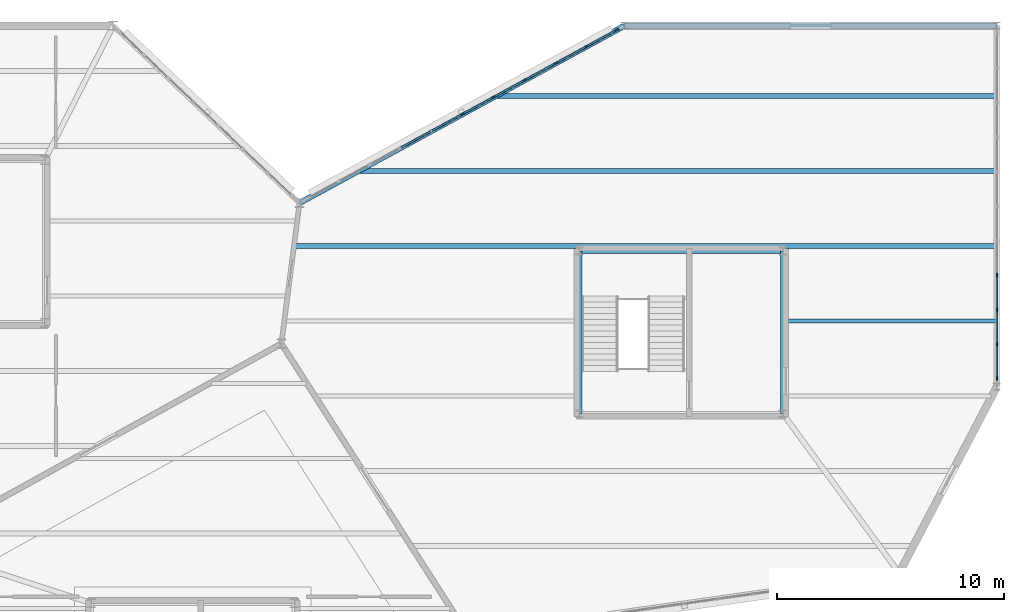
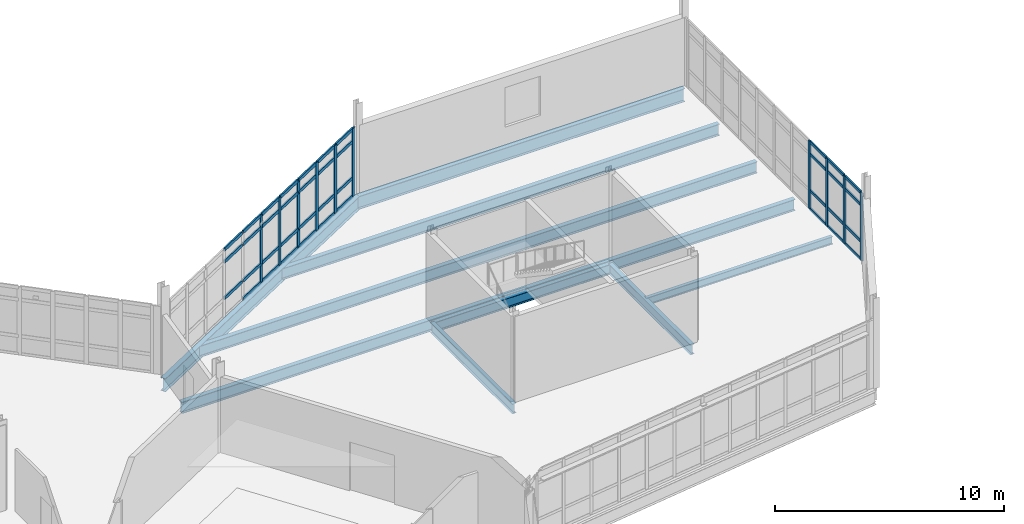
# One storey, part 79 of 134: 49 members, 9 beams, 2 elements without a shape of their own.
"""IFC4 building model written with IfcOpenShell, lengths in metres."""

from ifc_helpers import new_model, si_unit, direction, frame, origin, origin_2d, place, context, subcontext, project, spatial, rectangle, i_section, extrude, material, material_profile, profile_set, type_object, element, aggregate, save


model = new_model("IFC4")

# Units and contexts
model_context = context("Model", 3, precision=1e-05, world=origin(), true_north=direction((0.0, 1.0)))
body_context = subcontext(model_context, "Body", "Model", "MODEL_VIEW")
ifc_project = project(units=[si_unit("LENGTHUNIT", "METRE"), si_unit("AREAUNIT", "SQUARE_METRE"), si_unit("VOLUMEUNIT", "CUBIC_METRE"), si_unit("PLANEANGLEUNIT", "RADIAN"), si_unit("MASSUNIT", "GRAM", prefix="KILO")], contexts=[model_context])

# Site, building, storey
site_placement = place(None, origin())
site = spatial("IfcSite", under=ifc_project, at=site_placement, CompositionType="ELEMENT")
building_placement = place(site_placement, origin())
building = spatial("IfcBuilding", under=site, at=building_placement, Name="Tameran Prism Museum", CompositionType="ELEMENT")
storey_placement = place(building_placement, frame((0.0, 0.0, 5.39990234375)))
storey = spatial("IfcBuildingStorey", under=building, at=storey_placement, Name="L01", CompositionType="ELEMENT", Elevation=5.39990234375)

# Beams
ifc_material_1 = material(Name="Steel Grade 300PLUS (300 MPa)", Category="steel")
ifc_material_profile_1 = material_profile(ifc_material_1, i_section(OverallWidth=0.177978515625, OverallDepth=0.403076171875, WebThickness=0.007568359375, FlangeThickness=0.010986328125, FilletRadius=0.011474609375, at=origin_2d()))
ifc_profile_set_1 = profile_set([ifc_material_profile_1])
beam_type_1 = type_object("IfcBeamType", Name="BM-J410B", PredefinedType="JOIST", material=ifc_profile_set_1)
beam_1_placement = place(storey_placement, frame((156.97998046875, 99.0, -0.4013671875), z_axis=(1.0, 0.0, 0.0), x_axis=(0.0, 1.0, 0.0)))
element("IfcBeam", 1, at=beam_1_placement, inside=storey, type_object=beam_type_1, Name="Floor Beam BM-0535", PredefinedType="JOIST", context=body_context, shape_type="SweptSolid", body=[
    extrude(i_section(OverallWidth=0.177978515625, OverallDepth=0.403076171875, WebThickness=0.007568359375, FlangeThickness=0.010986328125, FilletRadius=0.011474609375, at=origin_2d()), origin(), (0.0, 0.0, 1.0), 9.380126953125),
])
ifc_material_2 = material(Name="Steel Grade 300PLUS (300 MPa)", Category="steel")
ifc_material_profile_2 = material_profile(ifc_material_2, i_section(OverallWidth=0.208984375, OverallDepth=0.528076171875, WebThickness=0.009521484375, FlangeThickness=0.01318359375, FilletRadius=0.013916015625, at=origin_2d()))
ifc_profile_set_2 = profile_set([ifc_material_profile_2])
beam_type_2 = type_object("IfcBeamType", Name="BM-SP530B", PredefinedType="SPANDREL", material=ifc_profile_set_2)
beam_2_placement = place(storey_placement, frame((156.97998046875, 94.919921875, -0.50390625), z_axis=(0.0, 1.0, 0.0), x_axis=(-1.0, 0.0, 0.0)))
element("IfcBeam", 2, at=beam_2_placement, inside=storey, type_object=beam_type_2, Name="Core Ring Beam CTB-0479", PredefinedType="SPANDREL", context=body_context, shape_type="SweptSolid", body=[
    extrude(i_section(OverallWidth=0.208984375, OverallDepth=0.528076171875, WebThickness=0.009521484375, FlangeThickness=0.01318359375, FilletRadius=0.013916015625, at=origin_2d()), origin(), (0.0, 0.0, 1.0), 7.16015625),
])
beam_3_placement = place(storey_placement, frame((156.97998046875, 102.080078125, -0.50390625), z_axis=(-1.0, 0.0, 0.0), x_axis=(0.0, -1.0, 0.0)))
element("IfcBeam", 3, at=beam_3_placement, inside=storey, type_object=beam_type_2, Name="Core Ring Beam CTB-0480", PredefinedType="SPANDREL", context=body_context, shape_type="SweptSolid", body=[
    extrude(i_section(OverallWidth=0.208984375, OverallDepth=0.528076171875, WebThickness=0.009521484375, FlangeThickness=0.01318359375, FilletRadius=0.013916015625, at=origin_2d()), origin(), (0.0, 0.0, 1.0), 8.9599609375),
])
beam_4_placement = place(storey_placement, frame((148.02001953125, 102.080078125, -0.50390625), z_axis=(0.0, -1.0, 0.0), x_axis=(1.0, 0.0, 0.0)))
element("IfcBeam", 4, at=beam_4_placement, inside=storey, type_object=beam_type_2, Name="Core Ring Beam CTB-0481", PredefinedType="SPANDREL", context=body_context, shape_type="SweptSolid", body=[
    extrude(i_section(OverallWidth=0.208984375, OverallDepth=0.528076171875, WebThickness=0.009521484375, FlangeThickness=0.01318359375, FilletRadius=0.013916015625, at=origin_2d()), origin(), (0.0, 0.0, 1.0), 7.16015625),
])
ifc_material_3 = material(Name="Steel Grade 350 (350 MPa)", Category="steel")
ifc_material_profile_3 = material_profile(ifc_material_3, i_section(OverallWidth=0.25, OverallDepth=0.699951171875, WebThickness=0.010009765625, FlangeThickness=0.02001953125, at=origin_2d()))
ifc_profile_set_3 = profile_set([ifc_material_profile_3])
beam_type_3 = type_object("IfcBeamType", Name="BM-SP700", PredefinedType="SPANDREL", material=ifc_profile_set_3)
beam_5_placement = place(storey_placement, frame((166.39990234375, 112.0, -0.5498046875), z_axis=(-1.0, 0.0, 0.0), x_axis=(0.0, -1.0, 0.0)))
element("IfcBeam", 5, at=beam_5_placement, inside=storey, type_object=beam_type_3, Name="Perimeter Spandrel SP-0343", PredefinedType="SPANDREL", context=body_context, shape_type="SweptSolid", body=[
    extrude(i_section(OverallWidth=0.25, OverallDepth=0.699951171875, WebThickness=0.010009765625, FlangeThickness=0.02001953125, at=origin_2d()), origin(), (0.0, 0.0, 1.0), 16.39990234375),
])
beam_6_placement = place(storey_placement, frame((150.0, 112.0, -0.5498046875), z_axis=(-0.877895000122, -0.478853180798, 0.0), x_axis=(0.478853180798, -0.877895000122, 0.0)))
element("IfcBeam", 6, at=beam_6_placement, inside=storey, type_object=beam_type_3, Name="Perimeter Spandrel SP-0344", PredefinedType="SPANDREL", context=body_context, shape_type="SweptSolid", body=[
    extrude(i_section(OverallWidth=0.25, OverallDepth=0.699951171875, WebThickness=0.010009765625, FlangeThickness=0.02001953125, at=origin_2d()), origin(), (0.0, 0.0, 1.0), 16.2890625),
])
ifc_material_4 = material(Name="Steel Grade 300PLUS (300 MPa)", Category="steel")
ifc_material_profile_4 = material_profile(ifc_material_4, i_section(OverallWidth=0.22802734375, OverallDepth=0.60693359375, WebThickness=0.01123046875, FlangeThickness=0.017333984375, FilletRadius=0.013916015625, at=origin_2d()))
ifc_profile_set_4 = profile_set([ifc_material_profile_4])
beam_type_4 = type_object("IfcBeamType", Name="BM-UB610B", PredefinedType="BEAM", material=ifc_profile_set_4)
beam_7_placement = place(storey_placement, frame((135.4951171875, 102.300048828125, -0.50341796875), z_axis=(1.0, 0.0, 0.0), x_axis=(0.0, 1.0, 0.0)))
element("IfcBeam", 7, at=beam_7_placement, inside=storey, type_object=beam_type_4, Name="Floor Beam BM-0536", PredefinedType="BEAM", context=body_context, shape_type="SweptSolid", body=[
    extrude(i_section(OverallWidth=0.22802734375, OverallDepth=0.60693359375, WebThickness=0.01123046875, FlangeThickness=0.017333984375, FilletRadius=0.013916015625, at=origin_2d()), origin(), (0.0, 0.0, 1.0), 30.864990234375),
])
beam_8_placement = place(storey_placement, frame((138.35009765625, 105.60009765625, -0.50341796875), z_axis=(1.0, 0.0, 0.0), x_axis=(0.0, 1.0, 0.0)))
element("IfcBeam", 8, at=beam_8_placement, inside=storey, type_object=beam_type_4, Name="Floor Beam BM-0537", PredefinedType="BEAM", context=body_context, shape_type="SweptSolid", body=[
    extrude(i_section(OverallWidth=0.22802734375, OverallDepth=0.60693359375, WebThickness=0.01123046875, FlangeThickness=0.017333984375, FilletRadius=0.013916015625, at=origin_2d()), origin(), (0.0, 0.0, 1.0), 28.010009765625),
])
beam_9_placement = place(storey_placement, frame((144.39990234375, 108.89990234375, -0.50341796875), z_axis=(1.0, 0.0, 0.0), x_axis=(0.0, 1.0, 0.0)))
element("IfcBeam", 9, at=beam_9_placement, inside=storey, type_object=beam_type_4, Name="Floor Beam BM-0538", PredefinedType="BEAM", context=body_context, shape_type="SweptSolid", body=[
    extrude(i_section(OverallWidth=0.22802734375, OverallDepth=0.60693359375, WebThickness=0.01123046875, FlangeThickness=0.017333984375, FilletRadius=0.013916015625, at=origin_2d()), origin(), (0.0, 0.0, 1.0), 21.960205078125),
])

# Curtain wall, members
ifc_material_5 = material(Name="Anodised Aluminium 6063-T6 and Cyclone Solar Glass", Category="aluminium")
curtain_wall_type_1 = type_object("IfcCurtainWallType", Name="CW-FAC-1520x362", PredefinedType="USERDEFINED", material=ifc_material_5)
curtain_wall_1_placement = place(storey_placement, origin())
curtain_wall_1 = element("IfcCurtainWall", 10, at=curtain_wall_1_placement, inside=storey, type_object=curtain_wall_type_1, Name="Unitised Curtain Wall CW-060", ObjectType="UNITISED CURTAIN WALL", PredefinedType="USERDEFINED")
ifc_material_6 = material(Name="Anodised Aluminium Alloy 6063-T6", Category="aluminium")
ifc_material_profile_5 = material_profile(ifc_material_6, rectangle(XDim=0.070068359375, YDim=0.179931640625, at=origin_2d()))
ifc_profile_set_5 = profile_set([ifc_material_profile_5])
member_type_1 = type_object("IfcMemberType", Name="CW-MUL-B", PredefinedType="MULLION", material=ifc_profile_set_5)
member_1_placement = place(storey_placement, frame((166.39990234375, 101.010009765625, 0.0), z_axis=(0.0, 0.0, 1.0), x_axis=(1.0, 0.0, 0.0)))
member_1 = element("IfcMember", 11, at=member_1_placement, type_object=member_type_1, Name="CW-060 mullion 8", PredefinedType="MULLION", context=body_context, shape_type="SweptSolid", body=[
    extrude(rectangle(XDim=0.070068359375, YDim=0.179931640625, at=origin_2d()), origin(), (0.0, 0.0, 1.0), 3.6201171875),
])
member_2_placement = place(storey_placement, frame((166.39990234375, 99.489990234375, 0.0), z_axis=(0.0, 0.0, 1.0), x_axis=(1.0, 0.0, 0.0)))
member_2 = element("IfcMember", 12, at=member_2_placement, type_object=member_type_1, Name="CW-060 mullion 9", PredefinedType="MULLION", context=body_context, shape_type="SweptSolid", body=[
    extrude(rectangle(XDim=0.070068359375, YDim=0.179931640625, at=origin_2d()), origin(), (0.0, 0.0, 1.0), 3.6201171875),
])
member_3_placement = place(storey_placement, frame((166.39990234375, 97.969970703125, 0.0), z_axis=(0.0, 0.0, 1.0), x_axis=(1.0, 0.0, 0.0)))
member_3 = element("IfcMember", 13, at=member_3_placement, type_object=member_type_1, Name="CW-060 mullion 10", PredefinedType="MULLION", context=body_context, shape_type="SweptSolid", body=[
    extrude(rectangle(XDim=0.070068359375, YDim=0.179931640625, at=origin_2d()), origin(), (0.0, 0.0, 1.0), 3.6201171875),
])
member_4_placement = place(storey_placement, frame((166.39990234375, 96.485107421875, 0.0), z_axis=(0.0, 0.0, 1.0), x_axis=(1.0, 0.0, 0.0)))
member_4 = element("IfcMember", 14, at=member_4_placement, type_object=member_type_1, Name="CW-060 mullion 11", PredefinedType="MULLION", context=body_context, shape_type="SweptSolid", body=[
    extrude(rectangle(XDim=0.070068359375, YDim=0.179931640625, at=origin_2d()), origin(), (0.0, 0.0, 1.0), 3.6201171875),
])

ifc_material_7 = material(Name="Anodised Aluminium 6063-T6 and Cyclone Solar Glass", Category="aluminium")
curtain_wall_type_2 = type_object("IfcCurtainWallType", Name="CW-FAC-1553x362", PredefinedType="USERDEFINED", material=ifc_material_7)
curtain_wall_2_placement = place(storey_placement, origin())
curtain_wall_2 = element("IfcCurtainWall", 15, at=curtain_wall_2_placement, inside=storey, type_object=curtain_wall_type_2, Name="Unitised Curtain Wall CW-061", ObjectType="UNITISED CURTAIN WALL", PredefinedType="USERDEFINED")
ifc_material_8 = material(Name="Anodised Aluminium Alloy 6063-T6", Category="aluminium")
ifc_material_profile_6 = material_profile(ifc_material_8, rectangle(XDim=0.074951171875, YDim=0.199951171875, at=origin_2d()))
ifc_profile_set_6 = profile_set([ifc_material_profile_6])
member_type_2 = type_object("IfcMemberType", Name="CW-MUL-C", PredefinedType="MULLION", material=ifc_profile_set_6)
member_5_placement = place(storey_placement, frame((142.87646484375, 108.114501953125, 0.0), z_axis=(0.0, 0.0, 1.0), x_axis=(-0.478793474805, 0.877927564486, 0.0)))
member_5 = element("IfcMember", 16, at=member_5_placement, type_object=member_type_2, Name="CW-061 mullion 6", PredefinedType="MULLION", context=body_context, shape_type="SweptSolid", body=[
    extrude(rectangle(XDim=0.074951171875, YDim=0.199951171875, at=origin_2d()), origin(), (0.0, 0.0, 1.0), 3.6201171875),
])
member_6_placement = place(storey_placement, frame((144.23974609375, 108.85791015625, 0.0), z_axis=(0.0, 0.0, 1.0), x_axis=(-0.478793474805, 0.877927564486, 0.0)))
member_6 = element("IfcMember", 17, at=member_6_placement, type_object=member_type_2, Name="CW-061 mullion 7", PredefinedType="MULLION", context=body_context, shape_type="SweptSolid", body=[
    extrude(rectangle(XDim=0.074951171875, YDim=0.199951171875, at=origin_2d()), origin(), (0.0, 0.0, 1.0), 3.6201171875),
])
member_7_placement = place(storey_placement, frame((145.60302734375, 109.6015625, 0.0), z_axis=(0.0, 0.0, 1.0), x_axis=(-0.478793474805, 0.877927564486, 0.0)))
member_7 = element("IfcMember", 18, at=member_7_placement, type_object=member_type_2, Name="CW-061 mullion 8", PredefinedType="MULLION", context=body_context, shape_type="SweptSolid", body=[
    extrude(rectangle(XDim=0.074951171875, YDim=0.199951171875, at=origin_2d()), origin(), (0.0, 0.0, 1.0), 3.6201171875),
])
member_8_placement = place(storey_placement, frame((146.96630859375, 110.344970703125, 0.0), z_axis=(0.0, 0.0, 1.0), x_axis=(-0.478793474805, 0.877927564486, 0.0)))
member_8 = element("IfcMember", 19, at=member_8_placement, type_object=member_type_2, Name="CW-061 mullion 9", PredefinedType="MULLION", context=body_context, shape_type="SweptSolid", body=[
    extrude(rectangle(XDim=0.074951171875, YDim=0.199951171875, at=origin_2d()), origin(), (0.0, 0.0, 1.0), 3.6201171875),
])
member_9_placement = place(storey_placement, frame((148.32958984375, 111.08837890625, 0.0), z_axis=(0.0, 0.0, 1.0), x_axis=(-0.478793474805, 0.877927564486, 0.0)))
member_9 = element("IfcMember", 20, at=member_9_placement, type_object=member_type_2, Name="CW-061 mullion 10", PredefinedType="MULLION", context=body_context, shape_type="SweptSolid", body=[
    extrude(rectangle(XDim=0.074951171875, YDim=0.199951171875, at=origin_2d()), origin(), (0.0, 0.0, 1.0), 3.6201171875),
])
member_10_placement = place(storey_placement, frame((149.66015625, 111.81396484375, 0.0), z_axis=(0.0, 0.0, 1.0), x_axis=(-0.478793474805, 0.877927564486, 0.0)))
member_10 = element("IfcMember", 21, at=member_10_placement, type_object=member_type_2, Name="CW-061 mullion 11", PredefinedType="MULLION", context=body_context, shape_type="SweptSolid", body=[
    extrude(rectangle(XDim=0.074951171875, YDim=0.199951171875, at=origin_2d()), origin(), (0.0, 0.0, 1.0), 3.6201171875),
])

# Member
ifc_material_9 = material(Name="Anodised Aluminium Alloy 6063-T6", Category="aluminium")
ifc_material_profile_7 = material_profile(ifc_material_9, rectangle(XDim=0.070068359375, YDim=0.155029296875, at=origin_2d()))
ifc_profile_set_7 = profile_set([ifc_material_profile_7])
member_type_3 = type_object("IfcMemberType", Name="CW-TRN-B", PredefinedType="USERDEFINED", material=ifc_profile_set_7)
member_11_placement = place(storey_placement, frame((166.39990234375, 100.97509765625, 0.03515625), z_axis=(0.0, -1.0, 0.0), x_axis=(1.0, 0.0, 0.0)))
member_11 = element("IfcMember", 22, at=member_11_placement, type_object=member_type_3, Name="CW-060 transom 8.1", ObjectType="TRANSOM", PredefinedType="USERDEFINED", context=body_context, shape_type="SweptSolid", body=[
    extrude(rectangle(XDim=0.070068359375, YDim=0.155029296875, at=origin_2d()), origin(), (0.0, 0.0, 1.0), 1.4501953125),
])

member_12_placement = place(storey_placement, frame((166.39990234375, 100.97509765625, 1.0), z_axis=(0.0, -1.0, 0.0), x_axis=(1.0, 0.0, 0.0)))
member_12 = element("IfcMember", 23, at=member_12_placement, type_object=member_type_3, Name="CW-060 transom 8.2", ObjectType="TRANSOM", PredefinedType="USERDEFINED", context=body_context, shape_type="SweptSolid", body=[
    extrude(rectangle(XDim=0.070068359375, YDim=0.155029296875, at=origin_2d()), origin(), (0.0, 0.0, 1.0), 1.4501953125),
])

member_13_placement = place(storey_placement, frame((166.39990234375, 100.97509765625, 2.940185546875), z_axis=(0.0, -1.0, 0.0), x_axis=(1.0, 0.0, 0.0)))
member_13 = element("IfcMember", 24, at=member_13_placement, type_object=member_type_3, Name="CW-060 transom 8.3", ObjectType="TRANSOM", PredefinedType="USERDEFINED", context=body_context, shape_type="SweptSolid", body=[
    extrude(rectangle(XDim=0.070068359375, YDim=0.155029296875, at=origin_2d()), origin(), (0.0, 0.0, 1.0), 1.4501953125),
])

member_14_placement = place(storey_placement, frame((166.39990234375, 100.97509765625, 3.585205078125), z_axis=(0.0, -1.0, 0.0), x_axis=(1.0, 0.0, 0.0)))
member_14 = element("IfcMember", 25, at=member_14_placement, type_object=member_type_3, Name="CW-060 transom 8.4", ObjectType="TRANSOM", PredefinedType="USERDEFINED", context=body_context, shape_type="SweptSolid", body=[
    extrude(rectangle(XDim=0.070068359375, YDim=0.155029296875, at=origin_2d()), origin(), (0.0, 0.0, 1.0), 1.4501953125),
])

member_15_placement = place(storey_placement, frame((166.39990234375, 99.455078125, 0.03515625), z_axis=(0.0, -1.0, 0.0), x_axis=(1.0, 0.0, 0.0)))
member_15 = element("IfcMember", 26, at=member_15_placement, type_object=member_type_3, Name="CW-060 transom 9.1", ObjectType="TRANSOM", PredefinedType="USERDEFINED", context=body_context, shape_type="SweptSolid", body=[
    extrude(rectangle(XDim=0.070068359375, YDim=0.155029296875, at=origin_2d()), origin(), (0.0, 0.0, 1.0), 1.4501953125),
])

member_16_placement = place(storey_placement, frame((166.39990234375, 99.455078125, 1.0), z_axis=(0.0, -1.0, 0.0), x_axis=(1.0, 0.0, 0.0)))
member_16 = element("IfcMember", 27, at=member_16_placement, type_object=member_type_3, Name="CW-060 transom 9.2", ObjectType="TRANSOM", PredefinedType="USERDEFINED", context=body_context, shape_type="SweptSolid", body=[
    extrude(rectangle(XDim=0.070068359375, YDim=0.155029296875, at=origin_2d()), origin(), (0.0, 0.0, 1.0), 1.4501953125),
])

member_17_placement = place(storey_placement, frame((166.39990234375, 99.455078125, 2.940185546875), z_axis=(0.0, -1.0, 0.0), x_axis=(1.0, 0.0, 0.0)))
member_17 = element("IfcMember", 28, at=member_17_placement, type_object=member_type_3, Name="CW-060 transom 9.3", ObjectType="TRANSOM", PredefinedType="USERDEFINED", context=body_context, shape_type="SweptSolid", body=[
    extrude(rectangle(XDim=0.070068359375, YDim=0.155029296875, at=origin_2d()), origin(), (0.0, 0.0, 1.0), 1.4501953125),
])

member_18_placement = place(storey_placement, frame((166.39990234375, 99.455078125, 3.585205078125), z_axis=(0.0, -1.0, 0.0), x_axis=(1.0, 0.0, 0.0)))
member_18 = element("IfcMember", 29, at=member_18_placement, type_object=member_type_3, Name="CW-060 transom 9.4", ObjectType="TRANSOM", PredefinedType="USERDEFINED", context=body_context, shape_type="SweptSolid", body=[
    extrude(rectangle(XDim=0.070068359375, YDim=0.155029296875, at=origin_2d()), origin(), (0.0, 0.0, 1.0), 1.4501953125),
])

member_19_placement = place(storey_placement, frame((166.39990234375, 97.93505859375, 0.03515625), z_axis=(0.0, -1.0, 0.0), x_axis=(1.0, 0.0, 0.0)))
member_19 = element("IfcMember", 30, at=member_19_placement, type_object=member_type_3, Name="CW-060 transom 10.1", ObjectType="TRANSOM", PredefinedType="USERDEFINED", context=body_context, shape_type="SweptSolid", body=[
    extrude(rectangle(XDim=0.070068359375, YDim=0.155029296875, at=origin_2d()), origin(), (0.0, 0.0, 1.0), 1.4150390625),
])

member_20_placement = place(storey_placement, frame((166.39990234375, 97.93505859375, 1.0), z_axis=(0.0, -1.0, 0.0), x_axis=(1.0, 0.0, 0.0)))
member_20 = element("IfcMember", 31, at=member_20_placement, type_object=member_type_3, Name="CW-060 transom 10.2", ObjectType="TRANSOM", PredefinedType="USERDEFINED", context=body_context, shape_type="SweptSolid", body=[
    extrude(rectangle(XDim=0.070068359375, YDim=0.155029296875, at=origin_2d()), origin(), (0.0, 0.0, 1.0), 1.4150390625),
])

member_21_placement = place(storey_placement, frame((166.39990234375, 97.93505859375, 2.940185546875), z_axis=(0.0, -1.0, 0.0), x_axis=(1.0, 0.0, 0.0)))
member_21 = element("IfcMember", 32, at=member_21_placement, type_object=member_type_3, Name="CW-060 transom 10.3", ObjectType="TRANSOM", PredefinedType="USERDEFINED", context=body_context, shape_type="SweptSolid", body=[
    extrude(rectangle(XDim=0.070068359375, YDim=0.155029296875, at=origin_2d()), origin(), (0.0, 0.0, 1.0), 1.4150390625),
])

member_22_placement = place(storey_placement, frame((166.39990234375, 97.93505859375, 3.585205078125), z_axis=(0.0, -1.0, 0.0), x_axis=(1.0, 0.0, 0.0)))
member_22 = element("IfcMember", 33, at=member_22_placement, type_object=member_type_3, Name="CW-060 transom 10.4", ObjectType="TRANSOM", PredefinedType="USERDEFINED", context=body_context, shape_type="SweptSolid", body=[
    extrude(rectangle(XDim=0.070068359375, YDim=0.155029296875, at=origin_2d()), origin(), (0.0, 0.0, 1.0), 1.4150390625),
])

aggregate(curtain_wall_1, [member_1, member_2, member_3, member_4, member_11, member_12, member_13, member_14, member_15, member_16, member_17, member_18, member_19, member_20, member_21, member_22])

ifc_material_10 = material(Name="Anodised Aluminium Alloy 6063-T6", Category="aluminium")
ifc_material_profile_8 = material_profile(ifc_material_10, rectangle(XDim=0.074951171875, YDim=0.175048828125, at=origin_2d()))
ifc_profile_set_8 = profile_set([ifc_material_profile_8])
member_type_4 = type_object("IfcMemberType", Name="CW-TRN-C", PredefinedType="USERDEFINED", material=ifc_profile_set_8)
member_23_placement = place(storey_placement, frame((140.182861328125, 106.6455078125, 1.0), z_axis=(0.877933453039, 0.47878267725, 0.0), x_axis=(-0.47878267725, 0.877933453039, 0.0)))
member_23 = element("IfcMember", 34, at=member_23_placement, type_object=member_type_4, Name="CW-061 transom 4.2", ObjectType="TRANSOM", PredefinedType="USERDEFINED", context=body_context, shape_type="SweptSolid", body=[
    extrude(rectangle(XDim=0.074951171875, YDim=0.175048828125, at=origin_2d()), origin(), (0.0, 0.0, 1.0), 1.477783203125),
])

member_24_placement = place(storey_placement, frame((140.182861328125, 106.6455078125, 2.940185546875), z_axis=(0.877933453039, 0.47878267725, 0.0), x_axis=(-0.47878267725, 0.877933453039, 0.0)))
member_24 = element("IfcMember", 35, at=member_24_placement, type_object=member_type_4, Name="CW-061 transom 4.3", ObjectType="TRANSOM", PredefinedType="USERDEFINED", context=body_context, shape_type="SweptSolid", body=[
    extrude(rectangle(XDim=0.074951171875, YDim=0.175048828125, at=origin_2d()), origin(), (0.0, 0.0, 1.0), 1.477783203125),
])

member_25_placement = place(storey_placement, frame((140.182861328125, 106.6455078125, 3.58251953125), z_axis=(0.877933453039, 0.47878267725, 0.0), x_axis=(-0.47878267725, 0.877933453039, 0.0)))
member_25 = element("IfcMember", 36, at=member_25_placement, type_object=member_type_4, Name="CW-061 transom 4.4", ObjectType="TRANSOM", PredefinedType="USERDEFINED", context=body_context, shape_type="SweptSolid", body=[
    extrude(rectangle(XDim=0.074951171875, YDim=0.175048828125, at=origin_2d()), origin(), (0.0, 0.0, 1.0), 1.477783203125),
])

member_26_placement = place(storey_placement, frame((141.546142578125, 107.388916015625, 0.03759765625), z_axis=(0.877933453039, 0.47878267725, 0.0), x_axis=(-0.47878267725, 0.877933453039, 0.0)))
member_26 = element("IfcMember", 37, at=member_26_placement, type_object=member_type_4, Name="CW-061 transom 5.1", ObjectType="TRANSOM", PredefinedType="USERDEFINED", context=body_context, shape_type="SweptSolid", body=[
    extrude(rectangle(XDim=0.074951171875, YDim=0.175048828125, at=origin_2d()), origin(), (0.0, 0.0, 1.0), 1.477783203125),
])

member_27_placement = place(storey_placement, frame((141.546142578125, 107.388916015625, 1.0), z_axis=(0.877933453039, 0.47878267725, 0.0), x_axis=(-0.47878267725, 0.877933453039, 0.0)))
member_27 = element("IfcMember", 38, at=member_27_placement, type_object=member_type_4, Name="CW-061 transom 5.2", ObjectType="TRANSOM", PredefinedType="USERDEFINED", context=body_context, shape_type="SweptSolid", body=[
    extrude(rectangle(XDim=0.074951171875, YDim=0.175048828125, at=origin_2d()), origin(), (0.0, 0.0, 1.0), 1.477783203125),
])

member_28_placement = place(storey_placement, frame((141.546142578125, 107.388916015625, 2.940185546875), z_axis=(0.877933453039, 0.47878267725, 0.0), x_axis=(-0.47878267725, 0.877933453039, 0.0)))
member_28 = element("IfcMember", 39, at=member_28_placement, type_object=member_type_4, Name="CW-061 transom 5.3", ObjectType="TRANSOM", PredefinedType="USERDEFINED", context=body_context, shape_type="SweptSolid", body=[
    extrude(rectangle(XDim=0.074951171875, YDim=0.175048828125, at=origin_2d()), origin(), (0.0, 0.0, 1.0), 1.477783203125),
])

member_29_placement = place(storey_placement, frame((141.546142578125, 107.388916015625, 3.58251953125), z_axis=(0.877933453039, 0.47878267725, 0.0), x_axis=(-0.47878267725, 0.877933453039, 0.0)))
member_29 = element("IfcMember", 40, at=member_29_placement, type_object=member_type_4, Name="CW-061 transom 5.4", ObjectType="TRANSOM", PredefinedType="USERDEFINED", context=body_context, shape_type="SweptSolid", body=[
    extrude(rectangle(XDim=0.074951171875, YDim=0.175048828125, at=origin_2d()), origin(), (0.0, 0.0, 1.0), 1.477783203125),
])

member_30_placement = place(storey_placement, frame((142.909423828125, 108.132568359375, 0.03759765625), z_axis=(0.877933453039, 0.47878267725, 0.0), x_axis=(-0.47878267725, 0.877933453039, 0.0)))
member_30 = element("IfcMember", 41, at=member_30_placement, type_object=member_type_4, Name="CW-061 transom 6.1", ObjectType="TRANSOM", PredefinedType="USERDEFINED", context=body_context, shape_type="SweptSolid", body=[
    extrude(rectangle(XDim=0.074951171875, YDim=0.175048828125, at=origin_2d()), origin(), (0.0, 0.0, 1.0), 1.477783203125),
])

member_31_placement = place(storey_placement, frame((142.909423828125, 108.132568359375, 1.0), z_axis=(0.877933453039, 0.47878267725, 0.0), x_axis=(-0.47878267725, 0.877933453039, 0.0)))
member_31 = element("IfcMember", 42, at=member_31_placement, type_object=member_type_4, Name="CW-061 transom 6.2", ObjectType="TRANSOM", PredefinedType="USERDEFINED", context=body_context, shape_type="SweptSolid", body=[
    extrude(rectangle(XDim=0.074951171875, YDim=0.175048828125, at=origin_2d()), origin(), (0.0, 0.0, 1.0), 1.477783203125),
])

member_32_placement = place(storey_placement, frame((142.909423828125, 108.132568359375, 2.940185546875), z_axis=(0.877933453039, 0.47878267725, 0.0), x_axis=(-0.47878267725, 0.877933453039, 0.0)))
member_32 = element("IfcMember", 43, at=member_32_placement, type_object=member_type_4, Name="CW-061 transom 6.3", ObjectType="TRANSOM", PredefinedType="USERDEFINED", context=body_context, shape_type="SweptSolid", body=[
    extrude(rectangle(XDim=0.074951171875, YDim=0.175048828125, at=origin_2d()), origin(), (0.0, 0.0, 1.0), 1.477783203125),
])

member_33_placement = place(storey_placement, frame((142.909423828125, 108.132568359375, 3.58251953125), z_axis=(0.877933453039, 0.47878267725, 0.0), x_axis=(-0.47878267725, 0.877933453039, 0.0)))
member_33 = element("IfcMember", 44, at=member_33_placement, type_object=member_type_4, Name="CW-061 transom 6.4", ObjectType="TRANSOM", PredefinedType="USERDEFINED", context=body_context, shape_type="SweptSolid", body=[
    extrude(rectangle(XDim=0.074951171875, YDim=0.175048828125, at=origin_2d()), origin(), (0.0, 0.0, 1.0), 1.477783203125),
])

member_34_placement = place(storey_placement, frame((144.272705078125, 108.8759765625, 0.03759765625), z_axis=(0.877933453039, 0.47878267725, 0.0), x_axis=(-0.47878267725, 0.877933453039, 0.0)))
member_34 = element("IfcMember", 45, at=member_34_placement, type_object=member_type_4, Name="CW-061 transom 7.1", ObjectType="TRANSOM", PredefinedType="USERDEFINED", context=body_context, shape_type="SweptSolid", body=[
    extrude(rectangle(XDim=0.074951171875, YDim=0.175048828125, at=origin_2d()), origin(), (0.0, 0.0, 1.0), 1.477783203125),
])

member_35_placement = place(storey_placement, frame((144.272705078125, 108.8759765625, 1.0), z_axis=(0.877933453039, 0.47878267725, 0.0), x_axis=(-0.47878267725, 0.877933453039, 0.0)))
member_35 = element("IfcMember", 46, at=member_35_placement, type_object=member_type_4, Name="CW-061 transom 7.2", ObjectType="TRANSOM", PredefinedType="USERDEFINED", context=body_context, shape_type="SweptSolid", body=[
    extrude(rectangle(XDim=0.074951171875, YDim=0.175048828125, at=origin_2d()), origin(), (0.0, 0.0, 1.0), 1.477783203125),
])

member_36_placement = place(storey_placement, frame((144.272705078125, 108.8759765625, 2.940185546875), z_axis=(0.877933453039, 0.47878267725, 0.0), x_axis=(-0.47878267725, 0.877933453039, 0.0)))
member_36 = element("IfcMember", 47, at=member_36_placement, type_object=member_type_4, Name="CW-061 transom 7.3", ObjectType="TRANSOM", PredefinedType="USERDEFINED", context=body_context, shape_type="SweptSolid", body=[
    extrude(rectangle(XDim=0.074951171875, YDim=0.175048828125, at=origin_2d()), origin(), (0.0, 0.0, 1.0), 1.477783203125),
])

member_37_placement = place(storey_placement, frame((144.272705078125, 108.8759765625, 3.58251953125), z_axis=(0.877933453039, 0.47878267725, 0.0), x_axis=(-0.47878267725, 0.877933453039, 0.0)))
member_37 = element("IfcMember", 48, at=member_37_placement, type_object=member_type_4, Name="CW-061 transom 7.4", ObjectType="TRANSOM", PredefinedType="USERDEFINED", context=body_context, shape_type="SweptSolid", body=[
    extrude(rectangle(XDim=0.074951171875, YDim=0.175048828125, at=origin_2d()), origin(), (0.0, 0.0, 1.0), 1.477783203125),
])

member_38_placement = place(storey_placement, frame((145.635986328125, 109.619384765625, 0.03759765625), z_axis=(0.877901885235, 0.478840557911, 0.0), x_axis=(-0.478840557911, 0.877901885235, 0.0)))
member_38 = element("IfcMember", 49, at=member_38_placement, type_object=member_type_4, Name="CW-061 transom 8.1", ObjectType="TRANSOM", PredefinedType="USERDEFINED", context=body_context, shape_type="SweptSolid", body=[
    extrude(rectangle(XDim=0.074951171875, YDim=0.175048828125, at=origin_2d()), origin(), (0.0, 0.0, 1.0), 1.47802734375),
])

member_39_placement = place(storey_placement, frame((145.635986328125, 109.619384765625, 1.0), z_axis=(0.877901885235, 0.478840557911, 0.0), x_axis=(-0.478840557911, 0.877901885235, 0.0)))
member_39 = element("IfcMember", 50, at=member_39_placement, type_object=member_type_4, Name="CW-061 transom 8.2", ObjectType="TRANSOM", PredefinedType="USERDEFINED", context=body_context, shape_type="SweptSolid", body=[
    extrude(rectangle(XDim=0.074951171875, YDim=0.175048828125, at=origin_2d()), origin(), (0.0, 0.0, 1.0), 1.47802734375),
])

member_40_placement = place(storey_placement, frame((145.635986328125, 109.619384765625, 2.940185546875), z_axis=(0.877901885235, 0.478840557911, 0.0), x_axis=(-0.478840557911, 0.877901885235, 0.0)))
member_40 = element("IfcMember", 51, at=member_40_placement, type_object=member_type_4, Name="CW-061 transom 8.3", ObjectType="TRANSOM", PredefinedType="USERDEFINED", context=body_context, shape_type="SweptSolid", body=[
    extrude(rectangle(XDim=0.074951171875, YDim=0.175048828125, at=origin_2d()), origin(), (0.0, 0.0, 1.0), 1.47802734375),
])

member_41_placement = place(storey_placement, frame((145.635986328125, 109.619384765625, 3.58251953125), z_axis=(0.877901885235, 0.478840557911, 0.0), x_axis=(-0.478840557911, 0.877901885235, 0.0)))
member_41 = element("IfcMember", 52, at=member_41_placement, type_object=member_type_4, Name="CW-061 transom 8.4", ObjectType="TRANSOM", PredefinedType="USERDEFINED", context=body_context, shape_type="SweptSolid", body=[
    extrude(rectangle(XDim=0.074951171875, YDim=0.175048828125, at=origin_2d()), origin(), (0.0, 0.0, 1.0), 1.47802734375),
])

member_42_placement = place(storey_placement, frame((146.999267578125, 110.363037109375, 0.03759765625), z_axis=(0.877971316684, 0.478713240969, 0.0), x_axis=(-0.478713240969, 0.877971316684, 0.0)))
member_42 = element("IfcMember", 53, at=member_42_placement, type_object=member_type_4, Name="CW-061 transom 9.1", ObjectType="TRANSOM", PredefinedType="USERDEFINED", context=body_context, shape_type="SweptSolid", body=[
    extrude(rectangle(XDim=0.074951171875, YDim=0.175048828125, at=origin_2d()), origin(), (0.0, 0.0, 1.0), 1.47802734375),
])

member_43_placement = place(storey_placement, frame((146.999267578125, 110.363037109375, 1.0), z_axis=(0.877971316684, 0.478713240969, 0.0), x_axis=(-0.478713240969, 0.877971316684, 0.0)))
member_43 = element("IfcMember", 54, at=member_43_placement, type_object=member_type_4, Name="CW-061 transom 9.2", ObjectType="TRANSOM", PredefinedType="USERDEFINED", context=body_context, shape_type="SweptSolid", body=[
    extrude(rectangle(XDim=0.074951171875, YDim=0.175048828125, at=origin_2d()), origin(), (0.0, 0.0, 1.0), 1.47802734375),
])

member_44_placement = place(storey_placement, frame((146.999267578125, 110.363037109375, 2.940185546875), z_axis=(0.877971316684, 0.478713240969, 0.0), x_axis=(-0.478713240969, 0.877971316684, 0.0)))
member_44 = element("IfcMember", 55, at=member_44_placement, type_object=member_type_4, Name="CW-061 transom 9.3", ObjectType="TRANSOM", PredefinedType="USERDEFINED", context=body_context, shape_type="SweptSolid", body=[
    extrude(rectangle(XDim=0.074951171875, YDim=0.175048828125, at=origin_2d()), origin(), (0.0, 0.0, 1.0), 1.47802734375),
])

member_45_placement = place(storey_placement, frame((146.999267578125, 110.363037109375, 3.58251953125), z_axis=(0.877971316684, 0.478713240969, 0.0), x_axis=(-0.478713240969, 0.877971316684, 0.0)))
member_45 = element("IfcMember", 56, at=member_45_placement, type_object=member_type_4, Name="CW-061 transom 9.4", ObjectType="TRANSOM", PredefinedType="USERDEFINED", context=body_context, shape_type="SweptSolid", body=[
    extrude(rectangle(XDim=0.074951171875, YDim=0.175048828125, at=origin_2d()), origin(), (0.0, 0.0, 1.0), 1.47802734375),
])

member_46_placement = place(storey_placement, frame((148.362548828125, 111.1064453125, 0.03759765625), z_axis=(0.877927956415, 0.478792756153, 0.0), x_axis=(-0.478792756153, 0.877927956415, 0.0)))
member_46 = element("IfcMember", 57, at=member_46_placement, type_object=member_type_4, Name="CW-061 transom 10.1", ObjectType="TRANSOM", PredefinedType="USERDEFINED", context=body_context, shape_type="SweptSolid", body=[
    extrude(rectangle(XDim=0.074951171875, YDim=0.175048828125, at=origin_2d()), origin(), (0.0, 0.0, 1.0), 1.4404296875),
])

member_47_placement = place(storey_placement, frame((148.362548828125, 111.1064453125, 1.0), z_axis=(0.877927956415, 0.478792756153, 0.0), x_axis=(-0.478792756153, 0.877927956415, 0.0)))
member_47 = element("IfcMember", 58, at=member_47_placement, type_object=member_type_4, Name="CW-061 transom 10.2", ObjectType="TRANSOM", PredefinedType="USERDEFINED", context=body_context, shape_type="SweptSolid", body=[
    extrude(rectangle(XDim=0.074951171875, YDim=0.175048828125, at=origin_2d()), origin(), (0.0, 0.0, 1.0), 1.4404296875),
])

member_48_placement = place(storey_placement, frame((148.362548828125, 111.1064453125, 2.940185546875), z_axis=(0.877927956415, 0.478792756153, 0.0), x_axis=(-0.478792756153, 0.877927956415, 0.0)))
member_48 = element("IfcMember", 59, at=member_48_placement, type_object=member_type_4, Name="CW-061 transom 10.3", ObjectType="TRANSOM", PredefinedType="USERDEFINED", context=body_context, shape_type="SweptSolid", body=[
    extrude(rectangle(XDim=0.074951171875, YDim=0.175048828125, at=origin_2d()), origin(), (0.0, 0.0, 1.0), 1.4404296875),
])

member_49_placement = place(storey_placement, frame((148.362548828125, 111.1064453125, 3.58251953125), z_axis=(0.877927956415, 0.478792756153, 0.0), x_axis=(-0.478792756153, 0.877927956415, 0.0)))
member_49 = element("IfcMember", 60, at=member_49_placement, type_object=member_type_4, Name="CW-061 transom 10.4", ObjectType="TRANSOM", PredefinedType="USERDEFINED", context=body_context, shape_type="SweptSolid", body=[
    extrude(rectangle(XDim=0.074951171875, YDim=0.175048828125, at=origin_2d()), origin(), (0.0, 0.0, 1.0), 1.4404296875),
])

aggregate(curtain_wall_2, [member_5, member_6, member_7, member_8, member_9, member_10, member_23, member_24, member_25, member_26, member_27, member_28, member_29, member_30, member_31, member_32, member_33, member_34, member_35, member_36, member_37, member_38, member_39, member_40, member_41, member_42, member_43, member_44, member_45, member_46, member_47, member_48, member_49])

save(model, "model.ifc")
